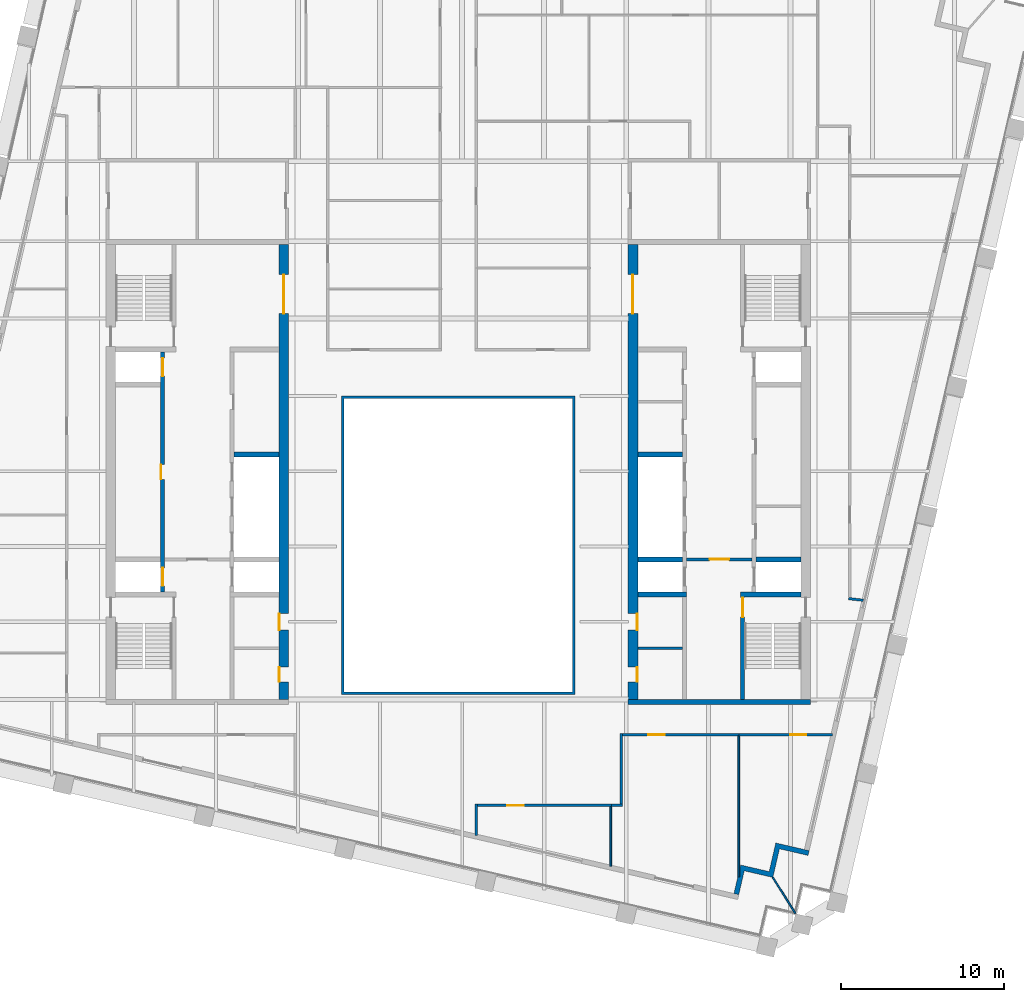
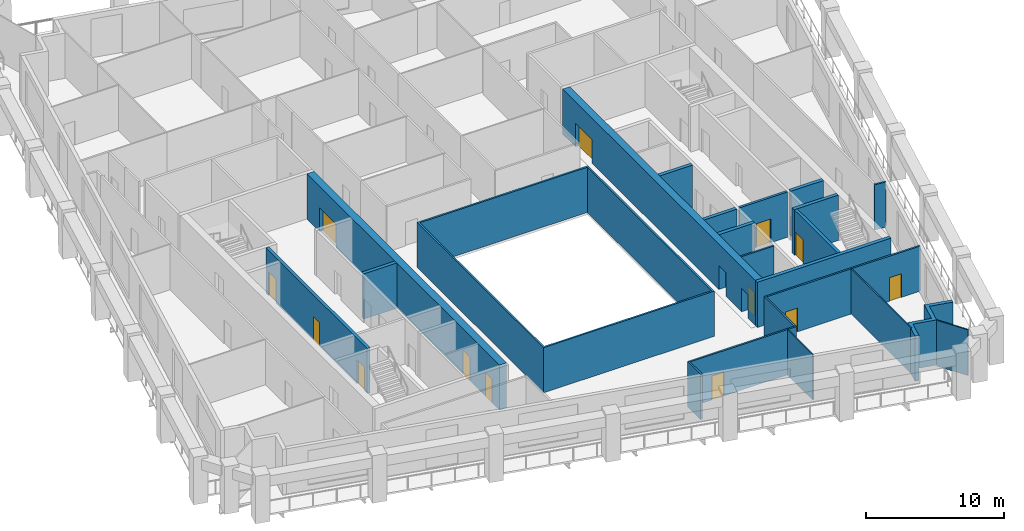
# One storey, part 5 of 11: 25 walls, 14 doors, 14 openings.
"""IFC4 building model written with IfcOpenShell, lengths in metres."""

from ifc_helpers import new_model, si_unit, direction, frame, frame_2d, origin, place, context, subcontext, project, spatial, polyline, rectangle, outline, extrude, material, layer, layer_set, type_object, element, fill, save


model = new_model("IFC4")

# Units and contexts
model_context = context("Model", 3, precision=1e-05, world=origin(), true_north=direction((0.0, 1.0)))
body_context = subcontext(model_context, "Body", "Model", "MODEL_VIEW")
ifc_project = project(units=[si_unit("LENGTHUNIT", "METRE"), si_unit("AREAUNIT", "SQUARE_METRE"), si_unit("VOLUMEUNIT", "CUBIC_METRE"), si_unit("PLANEANGLEUNIT", "RADIAN"), si_unit("MASSUNIT", "GRAM", prefix="KILO")], contexts=[model_context])

# Site, building, storey
site_placement = place(None, origin())
site = spatial("IfcSite", under=ifc_project, at=site_placement, CompositionType="ELEMENT")
building_placement = place(site_placement, origin())
building = spatial("IfcBuilding", under=site, at=building_placement, Name="Ogive Exchange Tower", CompositionType="ELEMENT")
storey_placement = place(building_placement, frame((0.0, 0.0, 259.800048828125)))
storey = spatial("IfcBuildingStorey", under=building, at=storey_placement, Name="L56", CompositionType="ELEMENT", Elevation=259.800048828125)

# Walls
ifc_material_1 = material(Name="Gypsum board partition")
ifc_layer_1 = layer(ifc_material_1, 0.14990234375)
ifc_layer_set_1 = layer_set([ifc_layer_1], Name="Core room partition 150 gypsum")
wall_type_1 = type_object("IfcWallType", Name="Core room partition 150 gypsum", PredefinedType="PARTITIONING", material=ifc_layer_set_1)
wall_1_placement = place(storey_placement, frame((11.0, 0.699951171875, 0.0), z_axis=(0.0, 0.0, 1.0), x_axis=(1.0, 0.0, 0.0)))
element("IfcWall", 1, at=wall_1_placement, inside=storey, type_object=wall_type_1, Name="E south room partition", PredefinedType="PARTITIONING", context=body_context, shape_type="SweptSolid", body=[
    extrude(rectangle(XDim=2.75, YDim=0.14990234375, at=frame_2d((1.375, 0.0))), origin(), (0.0, 0.0, 1.0), 4.0),
])
ifc_material_2 = material(Name="Fire partition EI 60 150")
ifc_layer_2 = layer(ifc_material_2, 0.14990234375)
ifc_layer_set_2 = layer_set([ifc_layer_2], Name="Fire partition EI 60 150")
wall_type_2 = type_object("IfcWallType", Name="Fire partition EI 60 150", PredefinedType="PARTITIONING", material=ifc_layer_set_2)
wall_2_placement = place(storey_placement, frame((1.10009765625, -8.864990234375, 0.0), z_axis=(0.0, 0.0, 1.0), x_axis=(0.0, -1.0, 0.0)))
element("IfcWall", 2, at=wall_2_placement, inside=storey, type_object=wall_type_2, Name="L56-PWL-045", PredefinedType="PARTITIONING", context=body_context, shape_type="SweptSolid", body=[
    extrude(rectangle(XDim=1.9130859375, YDim=0.14990234375, at=frame_2d((0.95654296875, 0.0))), origin(), (0.0, 0.0, 1.0), 4.0),
])

# Wall, opening, door
wall_3_placement = place(storey_placement, frame((9.389892578125, -8.93994140625, 0.0), z_axis=(0.0, 0.0, 1.0), x_axis=(-1.0, 0.0, 0.0)))
wall_3 = element("IfcWall", 3, at=wall_3_placement, inside=storey, type_object=wall_type_2, Name="L56-PWL-060", PredefinedType="PARTITIONING", context=body_context, shape_type="SweptSolid", body=[
    extrude(rectangle(XDim=8.21484375, YDim=0.14990234375, at=frame_2d((4.107421875, 0.0))), origin(), (0.0, 0.0, 1.0), 4.0),
])
opening_1_placement = place(wall_3_placement, frame((5.389892578125, 0.0, 0.0)))
opening_1 = element("IfcOpeningElement", 4, at=opening_1_placement, cuts=wall_3, Name="Opening L56-I25", PredefinedType="OPENING", context=body_context, shape_type="SweptSolid", body=[
    extrude(rectangle(XDim=1.0, YDim=2.10009765625, at=frame_2d((0.5, 1.050048828125))), frame((0.0, 0.0849609375, 0.0), z_axis=(0.0, -1.0, 0.0), x_axis=(1.0, 0.0, 0.0)), (0.0, 0.0, 1.0), 0.169921875),
])
ifc_material_3 = material(Name="Fire door FD 30S 1000 x 2100")
door_type_1 = type_object("IfcDoorType", Name="Fire door FD 30S 1000 x 2100", OperationType="NOTDEFINED", PredefinedType="DOOR", material=ifc_material_3)
door_1_placement = place(opening_1_placement, origin())
door_1 = element("IfcDoor", 5, at=door_1_placement, inside=storey, type_object=door_type_1, Name="L56-IDR-025", ObjectType="DT3", OperationType="SINGLE_SWING_LEFT", OverallHeight=2.10009765625, OverallWidth=1.0, PredefinedType="DOOR", context=body_context, shape_type="SweptSolid", body=[
    extrude(rectangle(XDim=1.0, YDim=2.10009765625, at=frame_2d((0.5, 1.050048828125))), frame((0.0, 0.02490234375, 0.0), z_axis=(0.0, -1.0, 0.0), x_axis=(1.0, 0.0, 0.0)), (0.0, 0.0, 1.0), 0.050048828125),
])
fill(opening_1, door_1)

# Walls
wall_4_placement = place(storey_placement, frame((10.074951171875, -8.93994140625, 0.0), z_axis=(0.0, 0.0, 1.0), x_axis=(-1.0, 0.0, 0.0)))
element("IfcWall", 6, at=wall_4_placement, inside=storey, type_object=wall_type_2, Name="L56-PWL-062", PredefinedType="PARTITIONING", context=body_context, shape_type="SweptSolid", body=[
    extrude(rectangle(XDim=0.68505859375, YDim=0.14990234375, at=frame_2d((0.342529296875, 0.0))), origin(), (0.0, 0.0, 1.0), 4.0),
])
wall_5_placement = place(storey_placement, frame((10.0, -4.52490234375, 0.0), z_axis=(0.0, 0.0, 1.0), x_axis=(0.0, -1.0, 0.0)))
element("IfcWall", 7, at=wall_5_placement, inside=storey, type_object=wall_type_2, Name="L56-PWL-063", PredefinedType="PARTITIONING", context=body_context, shape_type="SweptSolid", body=[
    extrude(rectangle(XDim=4.340087890625, YDim=0.14990234375, at=frame_2d((2.169921875, 0.0))), origin(), (0.0, 0.0, 1.0), 4.0),
])

# Wall, opening, door
wall_6_placement = place(storey_placement, frame((17.239990234375, -4.60009765625, 0.0), z_axis=(0.0, 0.0, 1.0), x_axis=(-1.0, 0.0, 0.0)))
wall_6 = element("IfcWall", 8, at=wall_6_placement, inside=storey, type_object=wall_type_2, Name="L56-PWL-065", PredefinedType="PARTITIONING", context=body_context, shape_type="SweptSolid", body=[
    extrude(rectangle(XDim=7.1650390625, YDim=0.14990234375, at=frame_2d((3.58251953125, 0.0))), origin(), (0.0, 0.0, 1.0), 4.0),
])
opening_2_placement = place(wall_6_placement, frame((4.590087890625, 0.0, 0.0)))
opening_2 = element("IfcOpeningElement", 9, at=opening_2_placement, cuts=wall_6, Name="Opening L56-I26", PredefinedType="OPENING", context=body_context, shape_type="SweptSolid", body=[
    extrude(rectangle(XDim=1.0, YDim=2.10009765625, at=frame_2d((0.5, 1.050048828125))), frame((0.0, 0.0849609375, 0.0), z_axis=(0.0, -1.0, 0.0), x_axis=(1.0, 0.0, 0.0)), (0.0, 0.0, 1.0), 0.169921875),
])
door_2_placement = place(opening_2_placement, origin())
door_2 = element("IfcDoor", 10, at=door_2_placement, inside=storey, type_object=door_type_1, Name="L56-IDR-026", ObjectType="DT3", OperationType="SINGLE_SWING_LEFT", OverallHeight=2.10009765625, OverallWidth=1.0, PredefinedType="DOOR", context=body_context, shape_type="SweptSolid", body=[
    extrude(rectangle(XDim=1.0, YDim=2.10009765625, at=frame_2d((0.5, 1.050048828125))), frame((0.0, 0.02490234375, 0.0), z_axis=(0.0, -1.0, 0.0), x_axis=(1.0, 0.0, 0.0)), (0.0, 0.0, 1.0), 0.050048828125),
])
fill(opening_2, door_2)

wall_7_placement = place(storey_placement, frame((22.922119140625, -4.60009765625, 0.0), z_axis=(0.0, 0.0, 1.0), x_axis=(-1.0, 0.0, 0.0)))
wall_7 = element("IfcWall", 11, at=wall_7_placement, inside=storey, type_object=wall_type_2, Name="L56-PWL-072", PredefinedType="PARTITIONING", context=body_context, shape_type="SweptSolid", body=[
    extrude(rectangle(XDim=5.732177734375, YDim=0.14990234375, at=frame_2d((2.8662109375, 0.0))), origin(), (0.0, 0.0, 1.0), 4.0),
])
opening_3_placement = place(wall_7_placement, frame((1.58203125, 0.0, 0.0)))
opening_3 = element("IfcOpeningElement", 12, at=opening_3_placement, cuts=wall_7, Name="Opening L56-I27", PredefinedType="OPENING", context=body_context, shape_type="SweptSolid", body=[
    extrude(rectangle(XDim=1.0, YDim=2.10009765625, at=frame_2d((0.5, 1.050048828125))), frame((0.0, 0.0849609375, 0.0), z_axis=(0.0, -1.0, 0.0), x_axis=(1.0, 0.0, 0.0)), (0.0, 0.0, 1.0), 0.169921875),
])
door_3_placement = place(opening_3_placement, origin())
door_3 = element("IfcDoor", 13, at=door_3_placement, inside=storey, type_object=door_type_1, Name="L56-IDR-027", ObjectType="DT3", OperationType="SINGLE_SWING_RIGHT", OverallHeight=2.10009765625, OverallWidth=1.0, PredefinedType="DOOR", context=body_context, shape_type="SweptSolid", body=[
    extrude(rectangle(XDim=1.0, YDim=2.10009765625, at=frame_2d((0.5, 1.050048828125))), frame((0.0, 0.02490234375, 0.0), z_axis=(0.0, -1.0, 0.0), x_axis=(1.0, 0.0, 0.0)), (0.0, 0.0, 1.0), 0.050048828125),
])
fill(opening_3, door_3)

# Walls
wall_8_placement = place(storey_placement, frame((23.925048828125, 3.739013671875, 0.0), z_axis=(0.0, 0.0, 1.0), x_axis=(0.993344839434, -0.115178253021, 0.0)))
element("IfcWall", 14, at=wall_8_placement, inside=storey, type_object=wall_type_2, Name="L56-PWL-073", PredefinedType="PARTITIONING", context=body_context, shape_type="SweptSolid", body=[
    extrude(rectangle(XDim=0.903076171875, YDim=0.14990234375, at=frame_2d((0.45166015625, 0.0))), origin(), (0.0, 0.0, 1.0), 4.0),
])
ifc_material_4 = material(Name="Fire-resisting glass in steel frame", Category="steel")
ifc_layer_3 = layer(ifc_material_4, 0.14990234375)
ifc_layer_set_3 = layer_set([ifc_layer_3], Name="Fire-rated glazed wall 150")
wall_type_3 = type_object("IfcWallType", Name="Fire-rated glazed wall 150", PredefinedType="STANDARD", material=ifc_layer_set_3)
wall_9_placement = place(storey_placement, origin())
element("IfcWall", 15, at=wall_9_placement, inside=storey, type_object=wall_type_3, Name="Nave enclosure wall", PredefinedType="STANDARD", context=body_context, shape_type="SweptSolid", body=[
    extrude(outline(polyline([(-7.14990234375, -2.14990234375), (7.14990234375, -2.14990234375), (7.14990234375, 16.14990234375), (-7.14990234375, 16.14990234375), (-7.14990234375, -2.14990234375)]), holes=[polyline([(-7.0, -2.0), (-7.0, 16.0), (7.0, 16.0), (7.0, -2.0), (-7.0, -2.0)])]), origin(), (0.0, 0.0, 1.0), 4.0),
])
ifc_material_5 = material(Name="Precast concrete C40/50", Category="concrete")
ifc_layer_4 = layer(ifc_material_5, 0.300048828125)
ifc_layer_set_4 = layer_set([ifc_layer_4], Name="Limestone-faced wall 300")
wall_type_4 = type_object("IfcWallType", Name="Limestone-faced wall 300", PredefinedType="STANDARD", material=ifc_layer_set_4)
wall_10_placement = place(storey_placement, origin())
element("IfcWall", 16, at=wall_10_placement, inside=storey, type_object=wall_type_4, Name="External corner wall C1", PredefinedType="STANDARD", context=body_context, shape_type="SweptSolid", body=[
    extrude(outline(polyline([(19.053955078125, -12.993408203125), (19.458740234375, -11.239501953125), (21.5048828125, -11.7119140625), (21.4375, -12.004150390625), (19.68359375, -11.599365234375), (19.27880859375, -13.353271484375), (17.52490234375, -12.9482421875), (17.1875, -14.409912109375), (16.89501953125, -14.34228515625), (17.300048828125, -12.58837890625), (19.053955078125, -12.993408203125)])), origin(), (0.0, 0.0, 1.0), 4.0),
])
ifc_material_6 = material(Name="Laminated safety glass in steel frame", Category="steel")
ifc_layer_5 = layer(ifc_material_6, 0.10009765625)
ifc_layer_set_5 = layer_set([ifc_layer_5], Name="Loggia end screen 100")
wall_type_5 = type_object("IfcWallType", Name="Loggia end screen 100", PredefinedType="STANDARD", material=ifc_layer_set_5)
wall_11_placement = place(storey_placement, frame((19.27880859375, -13.353271484375, -0.050048828125), z_axis=(0.0, 0.0, 1.0), x_axis=(0.529914407191, -0.848051131154, 0.0)))
element("IfcWall", 17, at=wall_11_placement, inside=storey, type_object=wall_type_5, Name="Loggia end screen C1", PredefinedType="STANDARD", context=body_context, shape_type="SweptSolid", body=[
    extrude(rectangle(XDim=2.59619140625, YDim=0.10009765625, at=frame_2d((1.298095703125, 0.0))), origin(), (0.0, 0.0, 1.0), 4.050048828125),
])
ifc_material_7 = material(Name="Partition 100 gypsum")
ifc_layer_6 = layer(ifc_material_7, 0.10009765625)
ifc_layer_set_6 = layer_set([ifc_layer_6], Name="Partition 100 gypsum")
wall_type_6 = type_object("IfcWallType", Name="Partition 100 gypsum", PredefinedType="PARTITIONING", material=ifc_layer_set_6)
wall_12_placement = place(storey_placement, frame((9.340087890625, -9.014892578125, 0.0), z_axis=(0.0, 0.0, 1.0), x_axis=(0.0, -1.0, 0.0)))
element("IfcWall", 18, at=wall_12_placement, inside=storey, type_object=wall_type_6, Name="L56-PWL-061", PredefinedType="PARTITIONING", context=body_context, shape_type="SweptSolid", body=[
    extrude(rectangle(XDim=3.666015625, YDim=0.10009765625, at=frame_2d((1.8330078125, 0.0))), origin(), (0.0, 0.0, 1.0), 4.0),
])
wall_13_placement = place(storey_placement, frame((17.18994140625, -4.675048828125, 0.0), z_axis=(0.0, 0.0, 1.0), x_axis=(0.0, -1.0, 0.0)))
element("IfcWall", 19, at=wall_13_placement, inside=storey, type_object=wall_type_6, Name="L56-PWL-066", PredefinedType="PARTITIONING", context=body_context, shape_type="SweptSolid", body=[
    extrude(rectangle(XDim=8.635009765625, YDim=0.10009765625, at=frame_2d((4.3173828125, 0.0))), origin(), (0.0, 0.0, 1.0), 4.0),
])

# Wall, opening, door
ifc_material_8 = material(Name="Concrete C70/85", Category="concrete")
ifc_layer_7 = layer(ifc_material_8, 0.199951171875)
ifc_layer_set_7 = layer_set([ifc_layer_7], Name="RC core wall 200 C70/85")
wall_type_7 = type_object("IfcWallType", Name="RC core wall 200 C70/85", PredefinedType="SHEAR", material=ifc_layer_set_7)
wall_14_placement = place(storey_placement, frame((14.0, 6.142822265625, 0.0), z_axis=(0.0, 0.0, 1.0), x_axis=(1.0, 0.0, 0.0)))
wall_14 = element("IfcWall", 20, at=wall_14_placement, inside=storey, type_object=wall_type_7, Name="E firefighting lobby wall", PredefinedType="SHEAR", context=body_context, shape_type="SweptSolid", body=[
    extrude(rectangle(XDim=4.0, YDim=0.199951171875, at=frame_2d((2.0, 0.0))), origin(), (0.0, 0.0, 1.0), 4.0),
])
opening_4_placement = place(wall_14_placement, frame((1.39990234375, 0.0, 0.0)))
opening_4 = element("IfcOpeningElement", 21, at=opening_4_placement, cuts=wall_14, Name="Opening L56-C29", PredefinedType="OPENING", context=body_context, shape_type="SweptSolid", body=[
    extrude(rectangle(XDim=1.199951171875, YDim=2.10009765625, at=frame_2d((0.60009765625, 1.050048828125))), frame((0.0, 0.10986328125, 0.0), z_axis=(0.0, -1.0, 0.0), x_axis=(1.0, 0.0, 0.0)), (0.0, 0.0, 1.0), 0.219970703125),
])
ifc_material_9 = material(Name="Steel fire door", Category="steel")
door_type_2 = type_object("IfcDoorType", Name="Firefighting lobby door FD60 1200 x 2100", OperationType="NOTDEFINED", PredefinedType="DOOR", material=ifc_material_9)
door_4_placement = place(opening_4_placement, frame((1.199951171875, 0.0, 0.0), z_axis=(0.0, 0.0, 1.0), x_axis=(-1.0, 0.0, 0.0)))
door_4 = element("IfcDoor", 22, at=door_4_placement, inside=storey, type_object=door_type_2, Name="Firefighting lobby door", ObjectType="CD3", OperationType="SINGLE_SWING_LEFT", OverallHeight=2.10009765625, OverallWidth=1.199951171875, PredefinedType="DOOR", context=body_context, shape_type="SweptSolid", body=[
    extrude(rectangle(XDim=1.199951171875, YDim=2.10009765625, at=frame_2d((0.60009765625, 1.050048828125))), frame((0.0, 0.02490234375, 0.0), z_axis=(0.0, -1.0, 0.0), x_axis=(1.0, 0.0, 0.0)), (0.0, 0.0, 1.0), 0.050048828125),
])
fill(opening_4, door_4)

# Wall, openings, doors
ifc_layer_8 = layer(ifc_material_8, 0.25)
ifc_layer_set_8 = layer_set([ifc_layer_8], Name="RC core wall 250 C70/85")
wall_type_8 = type_object("IfcWallType", Name="RC core wall 250 C70/85", PredefinedType="SHEAR", material=ifc_layer_set_8)
wall_15_placement = place(storey_placement, frame((-18.125, 4.14990234375, 0.0), z_axis=(0.0, 0.0, 1.0), x_axis=(0.0, 1.0, 0.0)))
wall_15 = element("IfcWall", 23, at=wall_15_placement, inside=storey, type_object=wall_type_8, Name="W row A front wall", PredefinedType="SHEAR", context=body_context, shape_type="SweptSolid", body=[
    extrude(rectangle(XDim=14.7001953125, YDim=0.25, at=frame_2d((7.35009765625, 0.0))), origin(), (0.0, 0.0, 1.0), 4.0),
])
opening_5_placement = place(wall_15_placement, frame((6.89990234375, 0.0, 0.0)))
opening_5 = element("IfcOpeningElement", 24, at=opening_5_placement, cuts=wall_15, Name="Opening L56-C01", PredefinedType="OPENING", context=body_context, shape_type="SweptSolid", body=[
    extrude(rectangle(XDim=0.89990234375, YDim=2.10009765625, at=frame_2d((0.449951171875, 1.050048828125))), frame((0.0, 0.135009765625, 0.0), z_axis=(0.0, -1.0, 0.0), x_axis=(1.0, 0.0, 0.0)), (0.0, 0.0, 1.0), 0.27001953125),
])
opening_6_placement = place(wall_15_placement, frame((0.371337890625, 0.0, 0.0)))
opening_6 = element("IfcOpeningElement", 25, at=opening_6_placement, cuts=wall_15, Name="Opening L56-C02", PredefinedType="OPENING", context=body_context, shape_type="SweptSolid", body=[
    extrude(rectangle(XDim=1.10009765625, YDim=2.10009765625, at=frame_2d((0.550048828125, 1.050048828125))), frame((0.0, 0.135009765625, 0.0), z_axis=(0.0, -1.0, 0.0), x_axis=(1.0, 0.0, 0.0)), (0.0, 0.0, 1.0), 0.27001953125),
])
opening_7_placement = place(wall_15_placement, frame((13.228515625, 0.0, 0.0)))
opening_7 = element("IfcOpeningElement", 26, at=opening_7_placement, cuts=wall_15, Name="Opening L56-C03", PredefinedType="OPENING", context=body_context, shape_type="SweptSolid", body=[
    extrude(rectangle(XDim=1.10009765625, YDim=2.10009765625, at=frame_2d((0.550048828125, 1.050048828125))), frame((0.0, 0.135009765625, 0.0), z_axis=(0.0, -1.0, 0.0), x_axis=(1.0, 0.0, 0.0)), (0.0, 0.0, 1.0), 0.27001953125),
])
ifc_material_10 = material(Name="Timber fire door", Category="wood")
door_type_3 = type_object("IfcDoorType", Name="Core room door FD30S 900 x 2100", OperationType="NOTDEFINED", PredefinedType="DOOR", material=ifc_material_10)
door_5_placement = place(opening_5_placement, origin())
door_5 = element("IfcDoor", 27, at=door_5_placement, inside=storey, type_object=door_type_3, Name="Core room door", ObjectType="CD6", OperationType="SINGLE_SWING_RIGHT", OverallHeight=2.10009765625, OverallWidth=0.89990234375, PredefinedType="DOOR", context=body_context, shape_type="SweptSolid", body=[
    extrude(rectangle(XDim=0.89990234375, YDim=2.10009765625, at=frame_2d((0.449951171875, 1.050048828125))), frame((0.0, 0.125, 0.0), z_axis=(0.0, -1.0, 0.0), x_axis=(1.0, 0.0, 0.0)), (0.0, 0.0, 1.0), 0.050048828125),
])
fill(opening_5, door_5)
ifc_material_11 = material(Name="Stainless steel", Category="steel")
door_type_4 = type_object("IfcDoorType", Name="Lift landing door FD90 1100 x 2100", OperationType="SLIDING_TO_LEFT", PredefinedType="DOOR", material=ifc_material_11)
door_6_placement = place(opening_6_placement, origin())
door_6 = element("IfcDoor", 28, at=door_6_placement, inside=storey, type_object=door_type_4, Name="Lift landing door FF1", ObjectType="LD", OperationType="SLIDING_TO_LEFT", OverallHeight=2.10009765625, OverallWidth=1.10009765625, PredefinedType="DOOR", context=body_context, shape_type="SweptSolid", body=[
    extrude(rectangle(XDim=1.10009765625, YDim=2.10009765625, at=frame_2d((0.550048828125, 1.050048828125))), frame((0.0, 0.02490234375, 0.0), z_axis=(0.0, -1.0, 0.0), x_axis=(1.0, 0.0, 0.0)), (0.0, 0.0, 1.0), 0.050048828125),
])
fill(opening_6, door_6)
door_7_placement = place(opening_7_placement, origin())
door_7 = element("IfcDoor", 29, at=door_7_placement, inside=storey, type_object=door_type_4, Name="Lift landing door W-SH2", ObjectType="LD", OperationType="SLIDING_TO_LEFT", OverallHeight=2.10009765625, OverallWidth=1.10009765625, PredefinedType="DOOR", context=body_context, shape_type="SweptSolid", body=[
    extrude(rectangle(XDim=1.10009765625, YDim=2.10009765625, at=frame_2d((0.550048828125, 1.050048828125))), frame((0.0, 0.02490234375, 0.0), z_axis=(0.0, -1.0, 0.0), x_axis=(1.0, 0.0, 0.0)), (0.0, 0.0, 1.0), 0.050048828125),
])
fill(opening_7, door_7)

# Wall, opening, door
wall_16_placement = place(storey_placement, frame((17.425048828125, -2.449951171875, 0.0), z_axis=(0.0, 0.0, 1.0), x_axis=(0.0, 1.0, 0.0)))
wall_16 = element("IfcWall", 30, at=wall_16_placement, inside=storey, type_object=wall_type_8, Name="E stair S front wall", PredefinedType="SHEAR", context=body_context, shape_type="SweptSolid", body=[
    extrude(rectangle(XDim=6.300048828125, YDim=0.25, at=frame_2d((3.14990234375, 0.0))), origin(), (0.0, 0.0, 1.0), 4.0),
])
opening_8_placement = place(wall_16_placement, frame((5.050048828125, 0.0, 0.0)))
opening_8 = element("IfcOpeningElement", 31, at=opening_8_placement, cuts=wall_16, Name="Opening L56-C31", PredefinedType="OPENING", context=body_context, shape_type="SweptSolid", body=[
    extrude(rectangle(XDim=1.199951171875, YDim=2.10009765625, at=frame_2d((0.60009765625, 1.050048828125))), frame((0.0, 0.135009765625, 0.0), z_axis=(0.0, -1.0, 0.0), x_axis=(1.0, 0.0, 0.0)), (0.0, 0.0, 1.0), 0.27001953125),
])
door_type_5 = type_object("IfcDoorType", Name="Stair door FD90 1200 x 2100", OperationType="NOTDEFINED", PredefinedType="DOOR", material=ifc_material_9)
door_8_placement = place(opening_8_placement, frame((1.199951171875, 0.0, 0.0), z_axis=(0.0, 0.0, 1.0), x_axis=(-1.0, 0.0, 0.0)))
door_8 = element("IfcDoor", 32, at=door_8_placement, inside=storey, type_object=door_type_5, Name="Stair door", ObjectType="CD5", OperationType="SINGLE_SWING_RIGHT", OverallHeight=2.10009765625, OverallWidth=1.199951171875, PredefinedType="DOOR", context=body_context, shape_type="SweptSolid", body=[
    extrude(rectangle(XDim=1.199951171875, YDim=2.10009765625, at=frame_2d((0.60009765625, 1.050048828125))), frame((0.0, 0.02490234375, 0.0), z_axis=(0.0, -1.0, 0.0), x_axis=(1.0, 0.0, 0.0)), (0.0, 0.0, 1.0), 0.050048828125),
])
fill(opening_8, door_8)

# Walls
ifc_layer_9 = layer(ifc_material_8, 0.300048828125)
ifc_layer_set_9 = layer_set([ifc_layer_9], Name="RC core wall 300 C70/85")
wall_type_9 = type_object("IfcWallType", Name="RC core wall 300 C70/85", PredefinedType="SHEAR", material=ifc_layer_set_9)
wall_17_placement = place(storey_placement, frame((-13.75, 12.5712890625, 0.0), z_axis=(0.0, 0.0, 1.0), x_axis=(1.0, 0.0, 0.0)))
element("IfcWall", 33, at=wall_17_placement, inside=storey, type_object=wall_type_9, Name="W row B divider 4", PredefinedType="SHEAR", context=body_context, shape_type="SweptSolid", body=[
    extrude(rectangle(XDim=2.75, YDim=0.300048828125, at=frame_2d((1.375, 0.0))), origin(), (0.0, 0.0, 1.0), 4.0),
])
wall_18_placement = place(storey_placement, frame((10.39990234375, -2.60009765625, 0.0), z_axis=(0.0, 0.0, 1.0), x_axis=(1.0, 0.0, 0.0)))
element("IfcWall", 34, at=wall_18_placement, inside=storey, type_object=wall_type_9, Name="E south end wall", PredefinedType="SHEAR", context=body_context, shape_type="SweptSolid", body=[
    extrude(rectangle(XDim=11.2001953125, YDim=0.300048828125, at=frame_2d((5.60009765625, 0.0))), origin(), (0.0, 0.0, 1.0), 4.0),
])
wall_19_placement = place(storey_placement, frame((17.300048828125, 4.0, 0.0), z_axis=(0.0, 0.0, 1.0), x_axis=(1.0, 0.0, 0.0)))
element("IfcWall", 35, at=wall_19_placement, inside=storey, type_object=wall_type_9, Name="E stair S north wall", PredefinedType="SHEAR", context=body_context, shape_type="SweptSolid", body=[
    extrude(rectangle(XDim=3.699951171875, YDim=0.300048828125, at=frame_2d((1.85009765625, 0.0))), origin(), (0.0, 0.0, 1.0), 4.0),
])
wall_20_placement = place(storey_placement, frame((18.25, 6.142822265625, 0.0), z_axis=(0.0, 0.0, 1.0), x_axis=(1.0, 0.0, 0.0)))
element("IfcWall", 36, at=wall_20_placement, inside=storey, type_object=wall_type_9, Name="E row A divider 1", PredefinedType="SHEAR", context=body_context, shape_type="SweptSolid", body=[
    extrude(rectangle(XDim=2.75, YDim=0.300048828125, at=frame_2d((1.375, 0.0))), origin(), (0.0, 0.0, 1.0), 4.0),
])
wall_21_placement = place(storey_placement, frame((11.0, 4.0, 0.0), z_axis=(0.0, 0.0, 1.0), x_axis=(1.0, 0.0, 0.0)))
element("IfcWall", 37, at=wall_21_placement, inside=storey, type_object=wall_type_9, Name="E row B divider 0", PredefinedType="SHEAR", context=body_context, shape_type="SweptSolid", body=[
    extrude(rectangle(XDim=3.0, YDim=0.300048828125, at=frame_2d((1.5, 0.0))), origin(), (0.0, 0.0, 1.0), 4.0),
])
for number, where, z_axis, x_axis, name in (
    (38, (11.0, 6.142822265625, 0.0), (0.0, 0.0, 1.0), (1.0, 0.0, 0.0), "E row B divider 1"),
    (39, (11.0, 12.5712890625, 0.0), (0.0, 0.0, 1.0), (1.0, 0.0, 0.0), "E row B divider 4"),
):
    element("IfcWall", number, at=place(storey_placement, frame(where, z_axis=z_axis, x_axis=x_axis)), inside=storey, type_object=wall_type_9, Name=name, PredefinedType="SHEAR", context=body_context, shape_type="SweptSolid", body=[
        extrude(rectangle(XDim=2.75, YDim=0.300048828125, at=frame_2d((1.375, 0.0))), origin(), (0.0, 0.0, 1.0), 4.0),
    ])

# Wall, openings, doors
ifc_layer_10 = layer(ifc_material_8, 0.60009765625)
ifc_layer_set_10 = layer_set([ifc_layer_10], Name="RC core wall 600 C70/85")
wall_type_10 = type_object("IfcWallType", Name="RC core wall 600 C70/85", PredefinedType="SHEAR", material=ifc_layer_set_10)
wall_22_placement = place(storey_placement, frame((-10.699951171875, -2.449951171875, 0.0), z_axis=(0.0, 0.0, 1.0), x_axis=(0.0, 1.0, 0.0)))
wall_22 = element("IfcWall", 40, at=wall_22_placement, inside=storey, type_object=wall_type_10, Name="W inner wall", PredefinedType="SHEAR", context=body_context, shape_type="SweptSolid", body=[
    extrude(rectangle(XDim=27.89990234375, YDim=0.60009765625, at=frame_2d((13.949951171875, 0.0))), origin(), (0.0, 0.0, 1.0), 4.0),
])
opening_9_placement = place(wall_22_placement, frame((23.64990234375, 0.0, 0.0)))
opening_9 = element("IfcOpeningElement", 41, at=opening_9_placement, cuts=wall_22, Name="Opening L56-C10", PredefinedType="OPENING", context=body_context, shape_type="SweptSolid", body=[
    extrude(rectangle(XDim=2.39990234375, YDim=2.10009765625, at=frame_2d((1.199951171875, 1.050048828125))), frame((0.0, 0.31005859375, 0.0), z_axis=(0.0, -1.0, 0.0), x_axis=(1.0, 0.0, 0.0)), (0.0, 0.0, 1.0), 0.6201171875),
])
opening_10_placement = place(wall_22_placement, frame((1.08740234375, 0.0, 0.0)))
opening_10 = element("IfcOpeningElement", 42, at=opening_10_placement, cuts=wall_22, Name="Opening L56-C15", PredefinedType="OPENING", context=body_context, shape_type="SweptSolid", body=[
    extrude(rectangle(XDim=0.89990234375, YDim=2.10009765625, at=frame_2d((0.449951171875, 1.050048828125))), frame((0.0, 0.31005859375, 0.0), z_axis=(0.0, -1.0, 0.0), x_axis=(1.0, 0.0, 0.0)), (0.0, 0.0, 1.0), 0.6201171875),
])
opening_11_placement = place(wall_22_placement, frame((4.262451171875, 0.0, 0.0)))
opening_11 = element("IfcOpeningElement", 43, at=opening_11_placement, cuts=wall_22, Name="Opening L56-C16", PredefinedType="OPENING", context=body_context, shape_type="SweptSolid", body=[
    extrude(rectangle(XDim=1.0, YDim=2.10009765625, at=frame_2d((0.5, 1.050048828125))), frame((0.0, 0.31005859375, 0.0), z_axis=(0.0, -1.0, 0.0), x_axis=(1.0, 0.0, 0.0)), (0.0, 0.0, 1.0), 0.6201171875),
])
door_type_6 = type_object("IfcDoorType", Name="Accessible WC door FD30S 1000 x 2100", OperationType="NOTDEFINED", PredefinedType="DOOR", material=ifc_material_10)
door_9_placement = place(opening_11_placement, frame((1.0, 0.5498046875, 0.0), z_axis=(0.0, 0.0, 1.0), x_axis=(-1.0, 0.0, 0.0)))
door_9 = element("IfcDoor", 44, at=door_9_placement, inside=storey, type_object=door_type_6, Name="Accessible WC door", ObjectType="CD7", OperationType="SINGLE_SWING_LEFT", OverallHeight=2.10009765625, OverallWidth=1.0, PredefinedType="DOOR", context=body_context, shape_type="SweptSolid", body=[
    extrude(rectangle(XDim=1.0, YDim=2.10009765625, at=frame_2d((0.5, 1.050048828125))), frame((0.0, 0.2998046875, 0.0), z_axis=(0.0, -1.0, 0.0), x_axis=(1.0, 0.0, 0.0)), (0.0, 0.0, 1.0), 0.050048828125),
])
fill(opening_11, door_9)
door_10_placement = place(opening_10_placement, frame((0.89990234375, 0.5498046875, 0.0), z_axis=(0.0, 0.0, 1.0), x_axis=(-1.0, 0.0, 0.0)))
door_10 = element("IfcDoor", 45, at=door_10_placement, inside=storey, type_object=door_type_3, Name="Core room door", ObjectType="CD6", OperationType="SINGLE_SWING_LEFT", OverallHeight=2.10009765625, OverallWidth=0.89990234375, PredefinedType="DOOR", context=body_context, shape_type="SweptSolid", body=[
    extrude(rectangle(XDim=0.89990234375, YDim=2.10009765625, at=frame_2d((0.449951171875, 1.050048828125))), frame((0.0, 0.2998046875, 0.0), z_axis=(0.0, -1.0, 0.0), x_axis=(1.0, 0.0, 0.0)), (0.0, 0.0, 1.0), 0.050048828125),
])
fill(opening_10, door_10)
ifc_material_12 = material(Name="Glazed steel fire door", Category="steel")
door_type_7 = type_object("IfcDoorType", Name="Lift lobby double door FD60 2400 x 2100", OperationType="DOUBLE_DOOR_SINGLE_SWING", PredefinedType="DOOR", material=ifc_material_12)
door_11_placement = place(opening_9_placement, frame((2.39990234375, 0.0, 0.0), z_axis=(0.0, 0.0, 1.0), x_axis=(-1.0, 0.0, 0.0)))
door_11 = element("IfcDoor", 46, at=door_11_placement, inside=storey, type_object=door_type_7, Name="Lift lobby double door", ObjectType="CD4", OperationType="DOUBLE_DOOR_SINGLE_SWING", OverallHeight=2.10009765625, OverallWidth=2.39990234375, PredefinedType="DOOR", context=body_context, shape_type="SweptSolid", body=[
    extrude(rectangle(XDim=2.39990234375, YDim=2.10009765625, at=frame_2d((1.199951171875, 1.050048828125))), frame((0.0, 0.02490234375, 0.0), z_axis=(0.0, -1.0, 0.0), x_axis=(1.0, 0.0, 0.0)), (0.0, 0.0, 1.0), 0.050048828125),
])
fill(opening_9, door_11)

wall_23_placement = place(storey_placement, frame((10.699951171875, -2.449951171875, 0.0), z_axis=(0.0, 0.0, 1.0), x_axis=(0.0, 1.0, 0.0)))
wall_23 = element("IfcWall", 47, at=wall_23_placement, inside=storey, type_object=wall_type_10, Name="E inner wall", PredefinedType="SHEAR", context=body_context, shape_type="SweptSolid", body=[
    extrude(rectangle(XDim=27.89990234375, YDim=0.60009765625, at=frame_2d((13.949951171875, 0.0))), origin(), (0.0, 0.0, 1.0), 4.0),
])
opening_12_placement = place(wall_23_placement, frame((23.64990234375, 0.0, 0.0)))
opening_12 = element("IfcOpeningElement", 48, at=opening_12_placement, cuts=wall_23, Name="Opening L56-C30", PredefinedType="OPENING", context=body_context, shape_type="SweptSolid", body=[
    extrude(rectangle(XDim=2.39990234375, YDim=2.10009765625, at=frame_2d((1.199951171875, 1.050048828125))), frame((0.0, 0.31005859375, 0.0), z_axis=(0.0, -1.0, 0.0), x_axis=(1.0, 0.0, 0.0)), (0.0, 0.0, 1.0), 0.6201171875),
])
opening_13_placement = place(wall_23_placement, frame((1.08740234375, 0.0, 0.0)))
opening_13 = element("IfcOpeningElement", 49, at=opening_13_placement, cuts=wall_23, Name="Opening L56-C35", PredefinedType="OPENING", context=body_context, shape_type="SweptSolid", body=[
    extrude(rectangle(XDim=0.89990234375, YDim=2.10009765625, at=frame_2d((0.449951171875, 1.050048828125))), frame((0.0, 0.31005859375, 0.0), z_axis=(0.0, -1.0, 0.0), x_axis=(1.0, 0.0, 0.0)), (0.0, 0.0, 1.0), 0.6201171875),
])
opening_14_placement = place(wall_23_placement, frame((4.262451171875, 0.0, 0.0)))
opening_14 = element("IfcOpeningElement", 50, at=opening_14_placement, cuts=wall_23, Name="Opening L56-C36", PredefinedType="OPENING", context=body_context, shape_type="SweptSolid", body=[
    extrude(rectangle(XDim=1.0, YDim=2.10009765625, at=frame_2d((0.5, 1.050048828125))), frame((0.0, 0.31005859375, 0.0), z_axis=(0.0, -1.0, 0.0), x_axis=(1.0, 0.0, 0.0)), (0.0, 0.0, 1.0), 0.6201171875),
])
door_12_placement = place(opening_14_placement, origin())
door_12 = element("IfcDoor", 51, at=door_12_placement, inside=storey, type_object=door_type_6, Name="Accessible WC door", ObjectType="CD7", OperationType="SINGLE_SWING_RIGHT", OverallHeight=2.10009765625, OverallWidth=1.0, PredefinedType="DOOR", context=body_context, shape_type="SweptSolid", body=[
    extrude(rectangle(XDim=1.0, YDim=2.10009765625, at=frame_2d((0.5, 1.050048828125))), frame((0.0, -0.25, 0.0), z_axis=(0.0, -1.0, 0.0), x_axis=(1.0, 0.0, 0.0)), (0.0, 0.0, 1.0), 0.050048828125),
])
fill(opening_14, door_12)
door_13_placement = place(opening_13_placement, origin())
door_13 = element("IfcDoor", 52, at=door_13_placement, inside=storey, type_object=door_type_3, Name="Core room door", ObjectType="CD6", OperationType="SINGLE_SWING_RIGHT", OverallHeight=2.10009765625, OverallWidth=0.89990234375, PredefinedType="DOOR", context=body_context, shape_type="SweptSolid", body=[
    extrude(rectangle(XDim=0.89990234375, YDim=2.10009765625, at=frame_2d((0.449951171875, 1.050048828125))), frame((0.0, -0.25, 0.0), z_axis=(0.0, -1.0, 0.0), x_axis=(1.0, 0.0, 0.0)), (0.0, 0.0, 1.0), 0.050048828125),
])
fill(opening_13, door_13)
door_14_placement = place(opening_12_placement, origin())
door_14 = element("IfcDoor", 53, at=door_14_placement, inside=storey, type_object=door_type_7, Name="Lift lobby double door", ObjectType="CD4", OperationType="DOUBLE_DOOR_SINGLE_SWING", OverallHeight=2.10009765625, OverallWidth=2.39990234375, PredefinedType="DOOR", context=body_context, shape_type="SweptSolid", body=[
    extrude(rectangle(XDim=2.39990234375, YDim=2.10009765625, at=frame_2d((1.199951171875, 1.050048828125))), frame((0.0, 0.02490234375, 0.0), z_axis=(0.0, -1.0, 0.0), x_axis=(1.0, 0.0, 0.0)), (0.0, 0.0, 1.0), 0.050048828125),
])
fill(opening_12, door_14)

save(model, "model.ifc")
